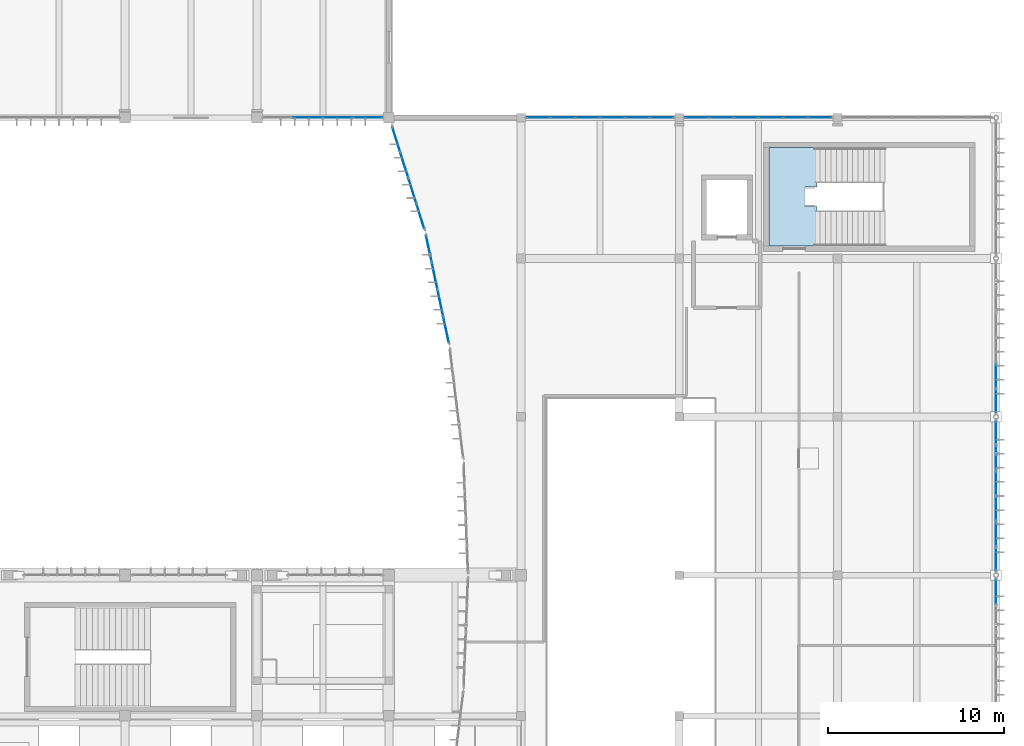
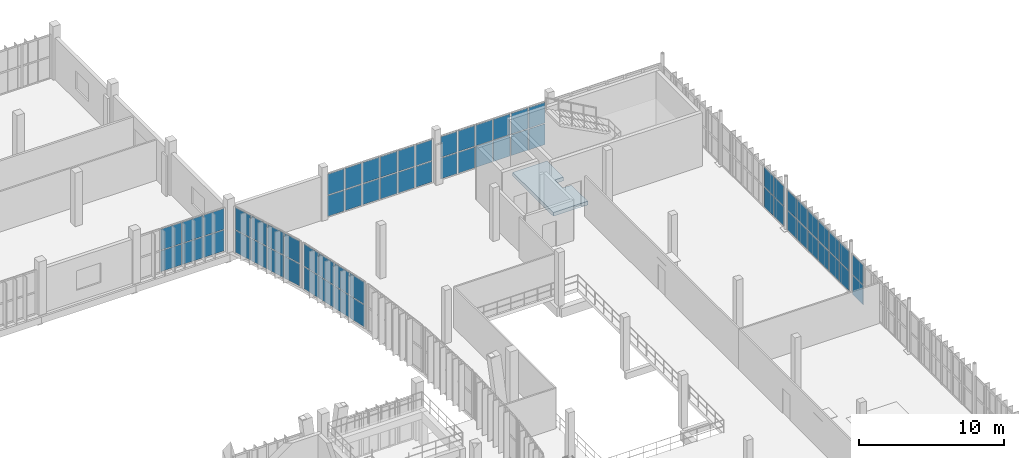
# One storey, part 47 of 81: 64 plates, 1 slab, 8 elements without a shape of their own.
"""IFC4 building model written with IfcOpenShell, lengths in metres."""

from ifc_helpers import new_model, si_unit, direction, frame, origin, origin_2d, place, context, subcontext, project, spatial, polyline, rectangle, outline, extrude, material, layer, layer_set, type_object, element, aggregate, save


model = new_model("IFC4")

# Units and contexts
model_context = context("Model", 3, precision=1e-05, world=origin(), true_north=direction((0.0, 1.0)))
body_context = subcontext(model_context, "Body", "Model", "MODEL_VIEW")
ifc_project = project(units=[si_unit("LENGTHUNIT", "METRE"), si_unit("AREAUNIT", "SQUARE_METRE"), si_unit("VOLUMEUNIT", "CUBIC_METRE"), si_unit("PLANEANGLEUNIT", "RADIAN"), si_unit("MASSUNIT", "GRAM", prefix="KILO")], contexts=[model_context])

# Site, building, storey
site_placement = place(None, origin())
site = spatial("IfcSite", under=ifc_project, at=site_placement, CompositionType="ELEMENT")
building_placement = place(site_placement, origin())
building = spatial("IfcBuilding", under=site, at=building_placement, Name="Vourika Railside Aquatics Centre", CompositionType="ELEMENT")
storey_placement = place(building_placement, frame((0.0, 0.0, 4.800048828125)))
storey = spatial("IfcBuildingStorey", under=building, at=storey_placement, Name="L01", CompositionType="ELEMENT", Elevation=4.800048828125)

# Curtain wall, plates
ifc_material_1 = material(Name="Anodized thermally broken aluminium", Category="aluminium")
curtain_wall_type_1 = type_object("IfcCurtainWallType", Name="CW-FIT1", PredefinedType="NOTDEFINED", material=ifc_material_1)
curtain_wall_1_placement = place(storey_placement, origin())
curtain_wall_1 = element("IfcCurtainWall", 1, at=curtain_wall_1_placement, inside=storey, type_object=curtain_wall_type_1, Name="Courtyard Fitness Curtain Wall L01-13", PredefinedType="NOTDEFINED")
ifc_material_2 = material(Name="Low-E solar-control laminated double glazing", Category="glass")
ifc_layer_1 = layer(ifc_material_2, 0.02392578125, Name="CWP-FIT1")
ifc_layer_set_1 = layer_set([ifc_layer_1], Name="Low-E solar-control laminated double glazing")
plate_type_1 = type_object("IfcPlateType", Name="CWP-FIT1", PredefinedType="CURTAIN_PANEL", material=ifc_layer_set_1)
plate_1_placement = place(storey_placement, frame((128.89501953125, 92.0, 0.06201171875), z_axis=(0.0, 0.0, 1.0), x_axis=(1.0, 0.0, 0.0)))
plate_1 = element("IfcPlate", 2, at=plate_1_placement, type_object=plate_type_1, Name="CW15 panel 2.1", PredefinedType="CURTAIN_PANEL", context=body_context, shape_type="SweptSolid", body=[
    extrude(rectangle(XDim=1.64794921875, YDim=0.02392578125, at=origin_2d()), origin(), (0.0, 0.0, 1.0), 1.757080078125),
])
plate_2_placement = place(storey_placement, frame((128.89501953125, 92.0, 1.880859375), z_axis=(0.0, 0.0, 1.0), x_axis=(1.0, 0.0, 0.0)))
plate_2 = element("IfcPlate", 3, at=plate_2_placement, type_object=plate_type_1, Name="CW15 panel 2.2", PredefinedType="CURTAIN_PANEL", context=body_context, shape_type="SweptSolid", body=[
    extrude(rectangle(XDim=1.64794921875, YDim=0.02392578125, at=origin_2d()), origin(), (0.0, 0.0, 1.0), 1.757080078125),
])
plate_3_placement = place(storey_placement, frame((130.60498046875, 92.0, 0.06201171875), z_axis=(0.0, 0.0, 1.0), x_axis=(1.0, 0.0, 0.0)))
plate_3 = element("IfcPlate", 4, at=plate_3_placement, type_object=plate_type_1, Name="CW15 panel 3.1", PredefinedType="CURTAIN_PANEL", context=body_context, shape_type="SweptSolid", body=[
    extrude(rectangle(XDim=1.64794921875, YDim=0.02392578125, at=origin_2d()), origin(), (0.0, 0.0, 1.0), 1.757080078125),
])
plate_4_placement = place(storey_placement, frame((130.60498046875, 92.0, 1.880859375), z_axis=(0.0, 0.0, 1.0), x_axis=(1.0, 0.0, 0.0)))
plate_4 = element("IfcPlate", 5, at=plate_4_placement, type_object=plate_type_1, Name="CW15 panel 3.2", PredefinedType="CURTAIN_PANEL", context=body_context, shape_type="SweptSolid", body=[
    extrude(rectangle(XDim=1.64794921875, YDim=0.02392578125, at=origin_2d()), origin(), (0.0, 0.0, 1.0), 1.757080078125),
])
plate_5_placement = place(storey_placement, frame((132.299560546875, 92.0, 0.06201171875), z_axis=(0.0, 0.0, 1.0), x_axis=(1.0, 0.0, 0.0)))
plate_5 = element("IfcPlate", 6, at=plate_5_placement, type_object=plate_type_1, Name="CW15 panel 4.1", PredefinedType="CURTAIN_PANEL", context=body_context, shape_type="SweptSolid", body=[
    extrude(rectangle(XDim=1.616943359375, YDim=0.02392578125, at=origin_2d()), origin(), (0.0, 0.0, 1.0), 1.757080078125),
])
plate_6_placement = place(storey_placement, frame((132.299560546875, 92.0, 1.880859375), z_axis=(0.0, 0.0, 1.0), x_axis=(1.0, 0.0, 0.0)))
plate_6 = element("IfcPlate", 7, at=plate_6_placement, type_object=plate_type_1, Name="CW15 panel 4.2", PredefinedType="CURTAIN_PANEL", context=body_context, shape_type="SweptSolid", body=[
    extrude(rectangle(XDim=1.616943359375, YDim=0.02392578125, at=origin_2d()), origin(), (0.0, 0.0, 1.0), 1.757080078125),
])
aggregate(curtain_wall_1, [plate_1, plate_2, plate_3, plate_4, plate_5, plate_6])

curtain_wall_type_2 = type_object("IfcCurtainWallType", Name="CW-FOYC1", PredefinedType="NOTDEFINED", material=ifc_material_1)
curtain_wall_2_placement = place(storey_placement, origin())
curtain_wall_2 = element("IfcCurtainWall", 8, at=curtain_wall_2_placement, inside=storey, type_object=curtain_wall_type_2, Name="Curved Courtyard Foyer Curtain Wall L01-7", PredefinedType="NOTDEFINED")
ifc_layer_2 = layer(ifc_material_2, 0.031982421875, Name="CWP-FOYC1")
ifc_layer_set_2 = layer_set([ifc_layer_2], Name="Low-E solar-control laminated double glazing")
plate_type_2 = type_object("IfcPlateType", Name="CWP-FOYC1", PredefinedType="CURTAIN_PANEL", material=ifc_layer_set_2)
plate_7_placement = place(storey_placement, frame((135.770751953125, 84.5654296875, 0.070068359375), z_axis=(0.0, 0.0, 1.0), x_axis=(0.207595418094, -0.978214773139, 0.0)))
plate_7 = element("IfcPlate", 9, at=plate_7_placement, type_object=plate_type_2, Name="CW08 panel 1.1", PredefinedType="CURTAIN_PANEL", context=body_context, shape_type="SweptSolid", body=[
    extrude(rectangle(XDim=1.484619140625, YDim=0.031982421875, at=origin_2d()), origin(), (0.0, 0.0, 1.0), 1.85498046875),
])
plate_8_placement = place(storey_placement, frame((135.770751953125, 84.5654296875, 1.994873046875), z_axis=(0.0, 0.0, 1.0), x_axis=(0.207595418094, -0.978214773139, 0.0)))
plate_8 = element("IfcPlate", 10, at=plate_8_placement, type_object=plate_type_2, Name="CW08 panel 1.2", PredefinedType="CURTAIN_PANEL", context=body_context, shape_type="SweptSolid", body=[
    extrude(rectangle(XDim=1.484619140625, YDim=0.031982421875, at=origin_2d()), origin(), (0.0, 0.0, 1.0), 1.85498046875),
])
plate_9_placement = place(storey_placement, frame((136.096923828125, 83.027587890625, 0.070068359375), z_axis=(0.0, 0.0, 1.0), x_axis=(0.207595418094, -0.978214773139, 0.0)))
plate_9 = element("IfcPlate", 11, at=plate_9_placement, type_object=plate_type_2, Name="CW08 panel 2.1", PredefinedType="CURTAIN_PANEL", context=body_context, shape_type="SweptSolid", body=[
    extrude(rectangle(XDim=1.51953125, YDim=0.031982421875, at=origin_2d()), origin(), (0.0, 0.0, 1.0), 1.85498046875),
])
plate_10_placement = place(storey_placement, frame((136.096923828125, 83.027587890625, 1.994873046875), z_axis=(0.0, 0.0, 1.0), x_axis=(0.207595418094, -0.978214773139, 0.0)))
plate_10 = element("IfcPlate", 12, at=plate_10_placement, type_object=plate_type_2, Name="CW08 panel 2.2", PredefinedType="CURTAIN_PANEL", context=body_context, shape_type="SweptSolid", body=[
    extrude(rectangle(XDim=1.51953125, YDim=0.031982421875, at=origin_2d()), origin(), (0.0, 0.0, 1.0), 1.85498046875),
])
plate_11_placement = place(storey_placement, frame((136.427001953125, 81.472412109375, 0.070068359375), z_axis=(0.0, 0.0, 1.0), x_axis=(0.207595418094, -0.978214773139, 0.0)))
plate_11 = element("IfcPlate", 13, at=plate_11_placement, type_object=plate_type_2, Name="CW08 panel 3.1", PredefinedType="CURTAIN_PANEL", context=body_context, shape_type="SweptSolid", body=[
    extrude(rectangle(XDim=1.51953125, YDim=0.031982421875, at=origin_2d()), origin(), (0.0, 0.0, 1.0), 1.85498046875),
])
plate_12_placement = place(storey_placement, frame((136.427001953125, 81.472412109375, 1.994873046875), z_axis=(0.0, 0.0, 1.0), x_axis=(0.207595418094, -0.978214773139, 0.0)))
plate_12 = element("IfcPlate", 14, at=plate_12_placement, type_object=plate_type_2, Name="CW08 panel 3.2", PredefinedType="CURTAIN_PANEL", context=body_context, shape_type="SweptSolid", body=[
    extrude(rectangle(XDim=1.51953125, YDim=0.031982421875, at=origin_2d()), origin(), (0.0, 0.0, 1.0), 1.85498046875),
])
plate_13_placement = place(storey_placement, frame((136.75341796875, 79.9345703125, 0.070068359375), z_axis=(0.0, 0.0, 1.0), x_axis=(0.207595418094, -0.978214773139, 0.0)))
plate_13 = element("IfcPlate", 15, at=plate_13_placement, type_object=plate_type_2, Name="CW08 panel 4.1", PredefinedType="CURTAIN_PANEL", context=body_context, shape_type="SweptSolid", body=[
    extrude(rectangle(XDim=1.484619140625, YDim=0.031982421875, at=origin_2d()), origin(), (0.0, 0.0, 1.0), 1.85498046875),
])
plate_14_placement = place(storey_placement, frame((136.75341796875, 79.9345703125, 1.994873046875), z_axis=(0.0, 0.0, 1.0), x_axis=(0.207595418094, -0.978214773139, 0.0)))
plate_14 = element("IfcPlate", 16, at=plate_14_placement, type_object=plate_type_2, Name="CW08 panel 4.2", PredefinedType="CURTAIN_PANEL", context=body_context, shape_type="SweptSolid", body=[
    extrude(rectangle(XDim=1.484619140625, YDim=0.031982421875, at=origin_2d()), origin(), (0.0, 0.0, 1.0), 1.85498046875),
])
aggregate(curtain_wall_2, [plate_7, plate_8, plate_9, plate_10, plate_11, plate_12, plate_13, plate_14])

curtain_wall_3_placement = place(storey_placement, origin())
curtain_wall_3 = element("IfcCurtainWall", 17, at=curtain_wall_3_placement, inside=storey, type_object=curtain_wall_type_2, Name="Curved Courtyard Foyer Curtain Wall L01-8", PredefinedType="NOTDEFINED")
plate_15_placement = place(storey_placement, frame((133.916259765625, 90.768310546875, 0.070068359375), z_axis=(0.0, 0.0, 1.0), x_axis=(0.29997424472, -0.953947300696, 0.0)))
plate_15 = element("IfcPlate", 18, at=plate_15_placement, type_object=plate_type_2, Name="CW08 panel 1.1", PredefinedType="CURTAIN_PANEL", context=body_context, shape_type="SweptSolid", body=[
    extrude(rectangle(XDim=1.43603515625, YDim=0.031982421875, at=origin_2d()), origin(), (0.0, 0.0, 1.0), 1.85498046875),
])
plate_16_placement = place(storey_placement, frame((133.916259765625, 90.768310546875, 1.994873046875), z_axis=(0.0, 0.0, 1.0), x_axis=(0.29997424472, -0.953947300696, 0.0)))
plate_16 = element("IfcPlate", 19, at=plate_16_placement, type_object=plate_type_2, Name="CW08 panel 1.2", PredefinedType="CURTAIN_PANEL", context=body_context, shape_type="SweptSolid", body=[
    extrude(rectangle(XDim=1.43603515625, YDim=0.031982421875, at=origin_2d()), origin(), (0.0, 0.0, 1.0), 1.85498046875),
])
plate_17_placement = place(storey_placement, frame((134.373291015625, 89.31494140625, 0.070068359375), z_axis=(0.0, 0.0, 1.0), x_axis=(0.29997424472, -0.953947300696, 0.0)))
plate_17 = element("IfcPlate", 20, at=plate_17_placement, type_object=plate_type_2, Name="CW08 panel 2.1", PredefinedType="CURTAIN_PANEL", context=body_context, shape_type="SweptSolid", body=[
    extrude(rectangle(XDim=1.470947265625, YDim=0.031982421875, at=origin_2d()), origin(), (0.0, 0.0, 1.0), 1.85498046875),
])
plate_18_placement = place(storey_placement, frame((134.373291015625, 89.31494140625, 1.994873046875), z_axis=(0.0, 0.0, 1.0), x_axis=(0.29997424472, -0.953947300696, 0.0)))
plate_18 = element("IfcPlate", 21, at=plate_18_placement, type_object=plate_type_2, Name="CW08 panel 2.2", PredefinedType="CURTAIN_PANEL", context=body_context, shape_type="SweptSolid", body=[
    extrude(rectangle(XDim=1.470947265625, YDim=0.031982421875, at=origin_2d()), origin(), (0.0, 0.0, 1.0), 1.85498046875),
])
plate_19_placement = place(storey_placement, frame((134.835693359375, 87.844970703125, 0.070068359375), z_axis=(0.0, 0.0, 1.0), x_axis=(0.29997424472, -0.953947300696, 0.0)))
plate_19 = element("IfcPlate", 22, at=plate_19_placement, type_object=plate_type_2, Name="CW08 panel 3.1", PredefinedType="CURTAIN_PANEL", context=body_context, shape_type="SweptSolid", body=[
    extrude(rectangle(XDim=1.470947265625, YDim=0.031982421875, at=origin_2d()), origin(), (0.0, 0.0, 1.0), 1.85498046875),
])
plate_20_placement = place(storey_placement, frame((134.835693359375, 87.844970703125, 1.994873046875), z_axis=(0.0, 0.0, 1.0), x_axis=(0.29997424472, -0.953947300696, 0.0)))
plate_20 = element("IfcPlate", 23, at=plate_20_placement, type_object=plate_type_2, Name="CW08 panel 3.2", PredefinedType="CURTAIN_PANEL", context=body_context, shape_type="SweptSolid", body=[
    extrude(rectangle(XDim=1.470947265625, YDim=0.031982421875, at=origin_2d()), origin(), (0.0, 0.0, 1.0), 1.85498046875),
])
plate_21_placement = place(storey_placement, frame((135.292724609375, 86.3916015625, 0.070068359375), z_axis=(0.0, 0.0, 1.0), x_axis=(0.29997424472, -0.953947300696, 0.0)))
plate_21 = element("IfcPlate", 24, at=plate_21_placement, type_object=plate_type_2, Name="CW08 panel 4.1", PredefinedType="CURTAIN_PANEL", context=body_context, shape_type="SweptSolid", body=[
    extrude(rectangle(XDim=1.43603515625, YDim=0.031982421875, at=origin_2d()), origin(), (0.0, 0.0, 1.0), 1.85498046875),
])
plate_22_placement = place(storey_placement, frame((135.292724609375, 86.3916015625, 1.994873046875), z_axis=(0.0, 0.0, 1.0), x_axis=(0.29997424472, -0.953947300696, 0.0)))
plate_22 = element("IfcPlate", 25, at=plate_22_placement, type_object=plate_type_2, Name="CW08 panel 4.2", PredefinedType="CURTAIN_PANEL", context=body_context, shape_type="SweptSolid", body=[
    extrude(rectangle(XDim=1.43603515625, YDim=0.031982421875, at=origin_2d()), origin(), (0.0, 0.0, 1.0), 1.85498046875),
])
aggregate(curtain_wall_3, [plate_15, plate_16, plate_17, plate_18, plate_19, plate_20, plate_21, plate_22])

curtain_wall_type_3 = type_object("IfcCurtainWallType", Name="CW-FOYE", PredefinedType="NOTDEFINED", material=ifc_material_1)
curtain_wall_4_placement = place(storey_placement, origin())
curtain_wall_4 = element("IfcCurtainWall", 26, at=curtain_wall_4_placement, inside=storey, type_object=curtain_wall_type_3, Name="East Arrival Facade Curtain Wall L01-3", PredefinedType="NOTDEFINED")
ifc_layer_3 = layer(ifc_material_2, 0.031982421875, Name="CWP-FOYE")
ifc_layer_set_3 = layer_set([ifc_layer_3], Name="Low-E solar-control laminated double glazing")
plate_type_3 = type_object("IfcPlateType", Name="CWP-FOYE", PredefinedType="CURTAIN_PANEL", material=ifc_layer_set_3)
plate_23_placement = place(storey_placement, frame((168.0, 65.048095703125, 0.0751953125), z_axis=(0.0, 0.0, 1.0), x_axis=(0.0, 1.0, 0.0)))
plate_23 = element("IfcPlate", 27, at=plate_23_placement, type_object=plate_type_3, Name="CW10 panel 5.1", PredefinedType="CURTAIN_PANEL", context=body_context, shape_type="SweptSolid", body=[
    extrude(rectangle(XDim=1.4208984375, YDim=0.031982421875, at=origin_2d()), origin(), (0.0, 0.0, 1.0), 1.637451171875),
])
plate_24_placement = place(storey_placement, frame((168.0, 65.048095703125, 1.78759765625), z_axis=(0.0, 0.0, 1.0), x_axis=(0.0, 1.0, 0.0)))
plate_24 = element("IfcPlate", 28, at=plate_24_placement, type_object=plate_type_3, Name="CW10 panel 5.2", PredefinedType="CURTAIN_PANEL", context=body_context, shape_type="SweptSolid", body=[
    extrude(rectangle(XDim=1.4208984375, YDim=0.031982421875, at=origin_2d()), origin(), (0.0, 0.0, 1.0), 1.637451171875),
])
aggregate(curtain_wall_4, [plate_23, plate_24])

curtain_wall_5_placement = place(storey_placement, origin())
curtain_wall_5 = element("IfcCurtainWall", 29, at=curtain_wall_5_placement, inside=storey, type_object=curtain_wall_type_3, Name="East Arrival Facade Curtain Wall L01-4", PredefinedType="NOTDEFINED")
plate_25_placement = place(storey_placement, frame((168.0, 66.907470703125, 0.0751953125), z_axis=(0.0, 0.0, 1.0), x_axis=(0.0, 1.0, 0.0)))
plate_25 = element("IfcPlate", 30, at=plate_25_placement, type_object=plate_type_3, Name="CW10 panel 1.1", PredefinedType="CURTAIN_PANEL", context=body_context, shape_type="SweptSolid", body=[
    extrude(rectangle(XDim=1.33203125, YDim=0.031982421875, at=origin_2d()), origin(), (0.0, 0.0, 1.0), 1.637451171875),
])
plate_26_placement = place(storey_placement, frame((168.0, 66.907470703125, 1.78759765625), z_axis=(0.0, 0.0, 1.0), x_axis=(0.0, 1.0, 0.0)))
plate_26 = element("IfcPlate", 31, at=plate_26_placement, type_object=plate_type_3, Name="CW10 panel 1.2", PredefinedType="CURTAIN_PANEL", context=body_context, shape_type="SweptSolid", body=[
    extrude(rectangle(XDim=1.33203125, YDim=0.031982421875, at=origin_2d()), origin(), (0.0, 0.0, 1.0), 1.637451171875),
])
plate_27_placement = place(storey_placement, frame((168.0, 68.333251953125, 0.0751953125), z_axis=(0.0, 0.0, 1.0), x_axis=(0.0, 1.0, 0.0)))
plate_27 = element("IfcPlate", 32, at=plate_27_placement, type_object=plate_type_3, Name="CW10 panel 2.1", PredefinedType="CURTAIN_PANEL", context=body_context, shape_type="SweptSolid", body=[
    extrude(rectangle(XDim=1.369384765625, YDim=0.031982421875, at=origin_2d()), origin(), (0.0, 0.0, 1.0), 1.637451171875),
])
plate_28_placement = place(storey_placement, frame((168.0, 68.333251953125, 1.78759765625), z_axis=(0.0, 0.0, 1.0), x_axis=(0.0, 1.0, 0.0)))
plate_28 = element("IfcPlate", 33, at=plate_28_placement, type_object=plate_type_3, Name="CW10 panel 2.2", PredefinedType="CURTAIN_PANEL", context=body_context, shape_type="SweptSolid", body=[
    extrude(rectangle(XDim=1.369384765625, YDim=0.031982421875, at=origin_2d()), origin(), (0.0, 0.0, 1.0), 1.637451171875),
])
plate_29_placement = place(storey_placement, frame((168.0, 69.77783203125, 0.0751953125), z_axis=(0.0, 0.0, 1.0), x_axis=(0.0, 1.0, 0.0)))
plate_29 = element("IfcPlate", 34, at=plate_29_placement, type_object=plate_type_3, Name="CW10 panel 3.1", PredefinedType="CURTAIN_PANEL", context=body_context, shape_type="SweptSolid", body=[
    extrude(rectangle(XDim=1.369384765625, YDim=0.031982421875, at=origin_2d()), origin(), (0.0, 0.0, 1.0), 1.637451171875),
])
plate_30_placement = place(storey_placement, frame((168.0, 69.77783203125, 1.78759765625), z_axis=(0.0, 0.0, 1.0), x_axis=(0.0, 1.0, 0.0)))
plate_30 = element("IfcPlate", 35, at=plate_30_placement, type_object=plate_type_3, Name="CW10 panel 3.2", PredefinedType="CURTAIN_PANEL", context=body_context, shape_type="SweptSolid", body=[
    extrude(rectangle(XDim=1.369384765625, YDim=0.031982421875, at=origin_2d()), origin(), (0.0, 0.0, 1.0), 1.637451171875),
])
plate_31_placement = place(storey_placement, frame((168.0, 71.22216796875, 0.0751953125), z_axis=(0.0, 0.0, 1.0), x_axis=(0.0, 1.0, 0.0)))
plate_31 = element("IfcPlate", 36, at=plate_31_placement, type_object=plate_type_3, Name="CW10 panel 4.1", PredefinedType="CURTAIN_PANEL", context=body_context, shape_type="SweptSolid", body=[
    extrude(rectangle(XDim=1.369384765625, YDim=0.031982421875, at=origin_2d()), origin(), (0.0, 0.0, 1.0), 1.637451171875),
])
plate_32_placement = place(storey_placement, frame((168.0, 71.22216796875, 1.78759765625), z_axis=(0.0, 0.0, 1.0), x_axis=(0.0, 1.0, 0.0)))
plate_32 = element("IfcPlate", 37, at=plate_32_placement, type_object=plate_type_3, Name="CW10 panel 4.2", PredefinedType="CURTAIN_PANEL", context=body_context, shape_type="SweptSolid", body=[
    extrude(rectangle(XDim=1.369384765625, YDim=0.031982421875, at=origin_2d()), origin(), (0.0, 0.0, 1.0), 1.637451171875),
])
plate_33_placement = place(storey_placement, frame((168.0, 72.666748046875, 0.0751953125), z_axis=(0.0, 0.0, 1.0), x_axis=(0.0, 1.0, 0.0)))
plate_33 = element("IfcPlate", 38, at=plate_33_placement, type_object=plate_type_3, Name="CW10 panel 5.1", PredefinedType="CURTAIN_PANEL", context=body_context, shape_type="SweptSolid", body=[
    extrude(rectangle(XDim=1.369384765625, YDim=0.031982421875, at=origin_2d()), origin(), (0.0, 0.0, 1.0), 1.637451171875),
])
plate_34_placement = place(storey_placement, frame((168.0, 72.666748046875, 1.78759765625), z_axis=(0.0, 0.0, 1.0), x_axis=(0.0, 1.0, 0.0)))
plate_34 = element("IfcPlate", 39, at=plate_34_placement, type_object=plate_type_3, Name="CW10 panel 5.2", PredefinedType="CURTAIN_PANEL", context=body_context, shape_type="SweptSolid", body=[
    extrude(rectangle(XDim=1.369384765625, YDim=0.031982421875, at=origin_2d()), origin(), (0.0, 0.0, 1.0), 1.637451171875),
])
plate_35_placement = place(storey_placement, frame((168.0, 74.092529296875, 0.0751953125), z_axis=(0.0, 0.0, 1.0), x_axis=(0.0, 1.0, 0.0)))
plate_35 = element("IfcPlate", 40, at=plate_35_placement, type_object=plate_type_3, Name="CW10 panel 6.1", PredefinedType="CURTAIN_PANEL", context=body_context, shape_type="SweptSolid", body=[
    extrude(rectangle(XDim=1.33203125, YDim=0.031982421875, at=origin_2d()), origin(), (0.0, 0.0, 1.0), 1.637451171875),
])
plate_36_placement = place(storey_placement, frame((168.0, 74.092529296875, 1.78759765625), z_axis=(0.0, 0.0, 1.0), x_axis=(0.0, 1.0, 0.0)))
plate_36 = element("IfcPlate", 41, at=plate_36_placement, type_object=plate_type_3, Name="CW10 panel 6.2", PredefinedType="CURTAIN_PANEL", context=body_context, shape_type="SweptSolid", body=[
    extrude(rectangle(XDim=1.33203125, YDim=0.031982421875, at=origin_2d()), origin(), (0.0, 0.0, 1.0), 1.637451171875),
])
aggregate(curtain_wall_5, [plate_25, plate_26, plate_27, plate_28, plate_29, plate_30, plate_31, plate_32, plate_33, plate_34, plate_35, plate_36])

curtain_wall_6_placement = place(storey_placement, origin())
curtain_wall_6 = element("IfcCurtainWall", 42, at=curtain_wall_6_placement, inside=storey, type_object=curtain_wall_type_3, Name="East Arrival Facade Curtain Wall L01-5", PredefinedType="NOTDEFINED")
plate_37_placement = place(storey_placement, frame((168.0, 75.907470703125, 0.0751953125), z_axis=(0.0, 0.0, 1.0), x_axis=(0.0, 1.0, 0.0)))
plate_37 = element("IfcPlate", 43, at=plate_37_placement, type_object=plate_type_3, Name="CW10 panel 1.1", PredefinedType="CURTAIN_PANEL", context=body_context, shape_type="SweptSolid", body=[
    extrude(rectangle(XDim=1.33203125, YDim=0.031982421875, at=origin_2d()), origin(), (0.0, 0.0, 1.0), 1.637451171875),
])
plate_38_placement = place(storey_placement, frame((168.0, 75.907470703125, 1.78759765625), z_axis=(0.0, 0.0, 1.0), x_axis=(0.0, 1.0, 0.0)))
plate_38 = element("IfcPlate", 44, at=plate_38_placement, type_object=plate_type_3, Name="CW10 panel 1.2", PredefinedType="CURTAIN_PANEL", context=body_context, shape_type="SweptSolid", body=[
    extrude(rectangle(XDim=1.33203125, YDim=0.031982421875, at=origin_2d()), origin(), (0.0, 0.0, 1.0), 1.637451171875),
])
plate_39_placement = place(storey_placement, frame((168.0, 77.333251953125, 0.0751953125), z_axis=(0.0, 0.0, 1.0), x_axis=(0.0, 1.0, 0.0)))
plate_39 = element("IfcPlate", 45, at=plate_39_placement, type_object=plate_type_3, Name="CW10 panel 2.1", PredefinedType="CURTAIN_PANEL", context=body_context, shape_type="SweptSolid", body=[
    extrude(rectangle(XDim=1.369384765625, YDim=0.031982421875, at=origin_2d()), origin(), (0.0, 0.0, 1.0), 1.637451171875),
])
plate_40_placement = place(storey_placement, frame((168.0, 77.333251953125, 1.78759765625), z_axis=(0.0, 0.0, 1.0), x_axis=(0.0, 1.0, 0.0)))
plate_40 = element("IfcPlate", 46, at=plate_40_placement, type_object=plate_type_3, Name="CW10 panel 2.2", PredefinedType="CURTAIN_PANEL", context=body_context, shape_type="SweptSolid", body=[
    extrude(rectangle(XDim=1.369384765625, YDim=0.031982421875, at=origin_2d()), origin(), (0.0, 0.0, 1.0), 1.637451171875),
])
aggregate(curtain_wall_6, [plate_37, plate_38, plate_39, plate_40])

curtain_wall_type_4 = type_object("IfcCurtainWallType", Name="CW-FOYS", PredefinedType="NOTDEFINED", material=ifc_material_1)
curtain_wall_7_placement = place(storey_placement, origin())
curtain_wall_7 = element("IfcCurtainWall", 47, at=curtain_wall_7_placement, inside=storey, type_object=curtain_wall_type_4, Name="Foyer North Glazed Facade L01-1", PredefinedType="NOTDEFINED")
ifc_layer_4 = layer(ifc_material_2, 0.031982421875, Name="CWP-FOYS")
ifc_layer_set_4 = layer_set([ifc_layer_4], Name="Low-E solar-control laminated double glazing")
plate_type_4 = type_object("IfcPlateType", Name="CWP-FOYS", PredefinedType="CURTAIN_PANEL", material=ifc_layer_set_4)
plate_41_placement = place(storey_placement, frame((148.998779296875, 92.0, 0.07177734375), z_axis=(0.0, 0.0, 1.0), x_axis=(-1.0, 0.0, 0.0)))
plate_41 = element("IfcPlate", 48, at=plate_41_placement, type_object=plate_type_4, Name="CW11 panel 1.1", PredefinedType="CURTAIN_PANEL", context=body_context, shape_type="SweptSolid", body=[
    extrude(rectangle(XDim=1.298583984375, YDim=0.031982421875, at=origin_2d()), origin(), (0.0, 0.0, 1.0), 1.741943359375),
])
plate_42_placement = place(storey_placement, frame((148.998779296875, 92.0, 1.8857421875), z_axis=(0.0, 0.0, 1.0), x_axis=(-1.0, 0.0, 0.0)))
plate_42 = element("IfcPlate", 49, at=plate_42_placement, type_object=plate_type_4, Name="CW11 panel 1.2", PredefinedType="CURTAIN_PANEL", context=body_context, shape_type="SweptSolid", body=[
    extrude(rectangle(XDim=1.298583984375, YDim=0.031982421875, at=origin_2d()), origin(), (0.0, 0.0, 1.0), 1.741943359375),
])
plate_43_placement = place(storey_placement, frame((147.610107421875, 92.0, 0.07177734375), z_axis=(0.0, 0.0, 1.0), x_axis=(-1.0, 0.0, 0.0)))
plate_43 = element("IfcPlate", 50, at=plate_43_placement, type_object=plate_type_4, Name="CW11 panel 2.1", PredefinedType="CURTAIN_PANEL", context=body_context, shape_type="SweptSolid", body=[
    extrude(rectangle(XDim=1.334716796875, YDim=0.031982421875, at=origin_2d()), origin(), (0.0, 0.0, 1.0), 1.741943359375),
])
plate_44_placement = place(storey_placement, frame((147.610107421875, 92.0, 1.8857421875), z_axis=(0.0, 0.0, 1.0), x_axis=(-1.0, 0.0, 0.0)))
plate_44 = element("IfcPlate", 51, at=plate_44_placement, type_object=plate_type_4, Name="CW11 panel 2.2", PredefinedType="CURTAIN_PANEL", context=body_context, shape_type="SweptSolid", body=[
    extrude(rectangle(XDim=1.334716796875, YDim=0.031982421875, at=origin_2d()), origin(), (0.0, 0.0, 1.0), 1.741943359375),
])
plate_45_placement = place(storey_placement, frame((146.203369140625, 92.0, 0.07177734375), z_axis=(0.0, 0.0, 1.0), x_axis=(-1.0, 0.0, 0.0)))
plate_45 = element("IfcPlate", 52, at=plate_45_placement, type_object=plate_type_4, Name="CW11 panel 3.1", PredefinedType="CURTAIN_PANEL", context=body_context, shape_type="SweptSolid", body=[
    extrude(rectangle(XDim=1.334716796875, YDim=0.031982421875, at=origin_2d()), origin(), (0.0, 0.0, 1.0), 1.741943359375),
])
plate_46_placement = place(storey_placement, frame((146.203369140625, 92.0, 1.8857421875), z_axis=(0.0, 0.0, 1.0), x_axis=(-1.0, 0.0, 0.0)))
plate_46 = element("IfcPlate", 53, at=plate_46_placement, type_object=plate_type_4, Name="CW11 panel 3.2", PredefinedType="CURTAIN_PANEL", context=body_context, shape_type="SweptSolid", body=[
    extrude(rectangle(XDim=1.334716796875, YDim=0.031982421875, at=origin_2d()), origin(), (0.0, 0.0, 1.0), 1.741943359375),
])
plate_47_placement = place(storey_placement, frame((144.796630859375, 92.0, 0.07177734375), z_axis=(0.0, 0.0, 1.0), x_axis=(-1.0, 0.0, 0.0)))
plate_47 = element("IfcPlate", 54, at=plate_47_placement, type_object=plate_type_4, Name="CW11 panel 4.1", PredefinedType="CURTAIN_PANEL", context=body_context, shape_type="SweptSolid", body=[
    extrude(rectangle(XDim=1.334716796875, YDim=0.031982421875, at=origin_2d()), origin(), (0.0, 0.0, 1.0), 1.741943359375),
])
plate_48_placement = place(storey_placement, frame((144.796630859375, 92.0, 1.8857421875), z_axis=(0.0, 0.0, 1.0), x_axis=(-1.0, 0.0, 0.0)))
plate_48 = element("IfcPlate", 55, at=plate_48_placement, type_object=plate_type_4, Name="CW11 panel 4.2", PredefinedType="CURTAIN_PANEL", context=body_context, shape_type="SweptSolid", body=[
    extrude(rectangle(XDim=1.334716796875, YDim=0.031982421875, at=origin_2d()), origin(), (0.0, 0.0, 1.0), 1.741943359375),
])
plate_49_placement = place(storey_placement, frame((143.389892578125, 92.0, 0.07177734375), z_axis=(0.0, 0.0, 1.0), x_axis=(-1.0, 0.0, 0.0)))
plate_49 = element("IfcPlate", 56, at=plate_49_placement, type_object=plate_type_4, Name="CW11 panel 5.1", PredefinedType="CURTAIN_PANEL", context=body_context, shape_type="SweptSolid", body=[
    extrude(rectangle(XDim=1.334716796875, YDim=0.031982421875, at=origin_2d()), origin(), (0.0, 0.0, 1.0), 1.741943359375),
])
plate_50_placement = place(storey_placement, frame((143.389892578125, 92.0, 1.8857421875), z_axis=(0.0, 0.0, 1.0), x_axis=(-1.0, 0.0, 0.0)))
plate_50 = element("IfcPlate", 57, at=plate_50_placement, type_object=plate_type_4, Name="CW11 panel 5.2", PredefinedType="CURTAIN_PANEL", context=body_context, shape_type="SweptSolid", body=[
    extrude(rectangle(XDim=1.334716796875, YDim=0.031982421875, at=origin_2d()), origin(), (0.0, 0.0, 1.0), 1.741943359375),
])
plate_51_placement = place(storey_placement, frame((142.001220703125, 92.0, 0.07177734375), z_axis=(0.0, 0.0, 1.0), x_axis=(-1.0, 0.0, 0.0)))
plate_51 = element("IfcPlate", 58, at=plate_51_placement, type_object=plate_type_4, Name="CW11 panel 6.1", PredefinedType="CURTAIN_PANEL", context=body_context, shape_type="SweptSolid", body=[
    extrude(rectangle(XDim=1.298583984375, YDim=0.031982421875, at=origin_2d()), origin(), (0.0, 0.0, 1.0), 1.741943359375),
])
plate_52_placement = place(storey_placement, frame((142.001220703125, 92.0, 1.8857421875), z_axis=(0.0, 0.0, 1.0), x_axis=(-1.0, 0.0, 0.0)))
plate_52 = element("IfcPlate", 59, at=plate_52_placement, type_object=plate_type_4, Name="CW11 panel 6.2", PredefinedType="CURTAIN_PANEL", context=body_context, shape_type="SweptSolid", body=[
    extrude(rectangle(XDim=1.298583984375, YDim=0.031982421875, at=origin_2d()), origin(), (0.0, 0.0, 1.0), 1.741943359375),
])
aggregate(curtain_wall_7, [plate_41, plate_42, plate_43, plate_44, plate_45, plate_46, plate_47, plate_48, plate_49, plate_50, plate_51, plate_52])

curtain_wall_8_placement = place(storey_placement, origin())
curtain_wall_8 = element("IfcCurtainWall", 60, at=curtain_wall_8_placement, inside=storey, type_object=curtain_wall_type_4, Name="Foyer North Glazed Facade L01-2", PredefinedType="NOTDEFINED")
plate_53_placement = place(storey_placement, frame((157.998779296875, 92.0, 0.07177734375), z_axis=(0.0, 0.0, 1.0), x_axis=(-1.0, 0.0, 0.0)))
plate_53 = element("IfcPlate", 61, at=plate_53_placement, type_object=plate_type_4, Name="CW11 panel 1.1", PredefinedType="CURTAIN_PANEL", context=body_context, shape_type="SweptSolid", body=[
    extrude(rectangle(XDim=1.298583984375, YDim=0.031982421875, at=origin_2d()), origin(), (0.0, 0.0, 1.0), 1.741943359375),
])
plate_54_placement = place(storey_placement, frame((157.998779296875, 92.0, 1.8857421875), z_axis=(0.0, 0.0, 1.0), x_axis=(-1.0, 0.0, 0.0)))
plate_54 = element("IfcPlate", 62, at=plate_54_placement, type_object=plate_type_4, Name="CW11 panel 1.2", PredefinedType="CURTAIN_PANEL", context=body_context, shape_type="SweptSolid", body=[
    extrude(rectangle(XDim=1.298583984375, YDim=0.031982421875, at=origin_2d()), origin(), (0.0, 0.0, 1.0), 1.741943359375),
])
plate_55_placement = place(storey_placement, frame((156.610107421875, 92.0, 0.07177734375), z_axis=(0.0, 0.0, 1.0), x_axis=(-1.0, 0.0, 0.0)))
plate_55 = element("IfcPlate", 63, at=plate_55_placement, type_object=plate_type_4, Name="CW11 panel 2.1", PredefinedType="CURTAIN_PANEL", context=body_context, shape_type="SweptSolid", body=[
    extrude(rectangle(XDim=1.334716796875, YDim=0.031982421875, at=origin_2d()), origin(), (0.0, 0.0, 1.0), 1.741943359375),
])
plate_56_placement = place(storey_placement, frame((156.610107421875, 92.0, 1.8857421875), z_axis=(0.0, 0.0, 1.0), x_axis=(-1.0, 0.0, 0.0)))
plate_56 = element("IfcPlate", 64, at=plate_56_placement, type_object=plate_type_4, Name="CW11 panel 2.2", PredefinedType="CURTAIN_PANEL", context=body_context, shape_type="SweptSolid", body=[
    extrude(rectangle(XDim=1.334716796875, YDim=0.031982421875, at=origin_2d()), origin(), (0.0, 0.0, 1.0), 1.741943359375),
])
plate_57_placement = place(storey_placement, frame((155.203369140625, 92.0, 0.07177734375), z_axis=(0.0, 0.0, 1.0), x_axis=(-1.0, 0.0, 0.0)))
plate_57 = element("IfcPlate", 65, at=plate_57_placement, type_object=plate_type_4, Name="CW11 panel 3.1", PredefinedType="CURTAIN_PANEL", context=body_context, shape_type="SweptSolid", body=[
    extrude(rectangle(XDim=1.334716796875, YDim=0.031982421875, at=origin_2d()), origin(), (0.0, 0.0, 1.0), 1.741943359375),
])
plate_58_placement = place(storey_placement, frame((155.203369140625, 92.0, 1.8857421875), z_axis=(0.0, 0.0, 1.0), x_axis=(-1.0, 0.0, 0.0)))
plate_58 = element("IfcPlate", 66, at=plate_58_placement, type_object=plate_type_4, Name="CW11 panel 3.2", PredefinedType="CURTAIN_PANEL", context=body_context, shape_type="SweptSolid", body=[
    extrude(rectangle(XDim=1.334716796875, YDim=0.031982421875, at=origin_2d()), origin(), (0.0, 0.0, 1.0), 1.741943359375),
])
plate_59_placement = place(storey_placement, frame((153.796630859375, 92.0, 0.07177734375), z_axis=(0.0, 0.0, 1.0), x_axis=(-1.0, 0.0, 0.0)))
plate_59 = element("IfcPlate", 67, at=plate_59_placement, type_object=plate_type_4, Name="CW11 panel 4.1", PredefinedType="CURTAIN_PANEL", context=body_context, shape_type="SweptSolid", body=[
    extrude(rectangle(XDim=1.334716796875, YDim=0.031982421875, at=origin_2d()), origin(), (0.0, 0.0, 1.0), 1.741943359375),
])
plate_60_placement = place(storey_placement, frame((153.796630859375, 92.0, 1.8857421875), z_axis=(0.0, 0.0, 1.0), x_axis=(-1.0, 0.0, 0.0)))
plate_60 = element("IfcPlate", 68, at=plate_60_placement, type_object=plate_type_4, Name="CW11 panel 4.2", PredefinedType="CURTAIN_PANEL", context=body_context, shape_type="SweptSolid", body=[
    extrude(rectangle(XDim=1.334716796875, YDim=0.031982421875, at=origin_2d()), origin(), (0.0, 0.0, 1.0), 1.741943359375),
])
plate_61_placement = place(storey_placement, frame((152.389892578125, 92.0, 0.07177734375), z_axis=(0.0, 0.0, 1.0), x_axis=(-1.0, 0.0, 0.0)))
plate_61 = element("IfcPlate", 69, at=plate_61_placement, type_object=plate_type_4, Name="CW11 panel 5.1", PredefinedType="CURTAIN_PANEL", context=body_context, shape_type="SweptSolid", body=[
    extrude(rectangle(XDim=1.334716796875, YDim=0.031982421875, at=origin_2d()), origin(), (0.0, 0.0, 1.0), 1.741943359375),
])
plate_62_placement = place(storey_placement, frame((152.389892578125, 92.0, 1.8857421875), z_axis=(0.0, 0.0, 1.0), x_axis=(-1.0, 0.0, 0.0)))
plate_62 = element("IfcPlate", 70, at=plate_62_placement, type_object=plate_type_4, Name="CW11 panel 5.2", PredefinedType="CURTAIN_PANEL", context=body_context, shape_type="SweptSolid", body=[
    extrude(rectangle(XDim=1.334716796875, YDim=0.031982421875, at=origin_2d()), origin(), (0.0, 0.0, 1.0), 1.741943359375),
])
plate_63_placement = place(storey_placement, frame((151.001220703125, 92.0, 0.07177734375), z_axis=(0.0, 0.0, 1.0), x_axis=(-1.0, 0.0, 0.0)))
plate_63 = element("IfcPlate", 71, at=plate_63_placement, type_object=plate_type_4, Name="CW11 panel 6.1", PredefinedType="CURTAIN_PANEL", context=body_context, shape_type="SweptSolid", body=[
    extrude(rectangle(XDim=1.298583984375, YDim=0.031982421875, at=origin_2d()), origin(), (0.0, 0.0, 1.0), 1.741943359375),
])
plate_64_placement = place(storey_placement, frame((151.001220703125, 92.0, 1.8857421875), z_axis=(0.0, 0.0, 1.0), x_axis=(-1.0, 0.0, 0.0)))
plate_64 = element("IfcPlate", 72, at=plate_64_placement, type_object=plate_type_4, Name="CW11 panel 6.2", PredefinedType="CURTAIN_PANEL", context=body_context, shape_type="SweptSolid", body=[
    extrude(rectangle(XDim=1.298583984375, YDim=0.031982421875, at=origin_2d()), origin(), (0.0, 0.0, 1.0), 1.741943359375),
])
aggregate(curtain_wall_8, [plate_53, plate_54, plate_55, plate_56, plate_57, plate_58, plate_59, plate_60, plate_61, plate_62, plate_63, plate_64])

# Slab
ifc_material_3 = material(Name="Concrete C35/45", Category="concrete")
ifc_layer_5 = layer(ifc_material_3, 0.31005859375, Name="SLB-CORE-310")
ifc_layer_set_5 = layer_set([ifc_layer_5], Name="Concrete C35/45")
slab_type = type_object("IfcSlabType", Name="SLB-CORE-310", PredefinedType="FLOOR", material=ifc_layer_set_5)
slab_placement = place(storey_placement, frame((0.0, 0.0, -0.31005859375)))
element("IfcSlab", 73, at=slab_placement, inside=storey, type_object=slab_type, Name="Protected Exit Stair Core ST05 Core Floor Landing (L01)", PredefinedType="FLOOR", context=body_context, shape_type="SweptSolid", body=[
    extrude(outline(polyline([(155.10009765625, 84.699951171875), (157.840087890625, 84.699951171875), (157.840087890625, 86.949951171875), (157.14990234375, 86.949951171875), (157.14990234375, 88.050048828125), (157.840087890625, 88.050048828125), (157.840087890625, 90.300048828125), (155.10009765625, 90.300048828125), (155.10009765625, 84.699951171875)])), origin(), (0.0, 0.0, 1.0), 0.31005859375),
])

save(model, "model.ifc")
